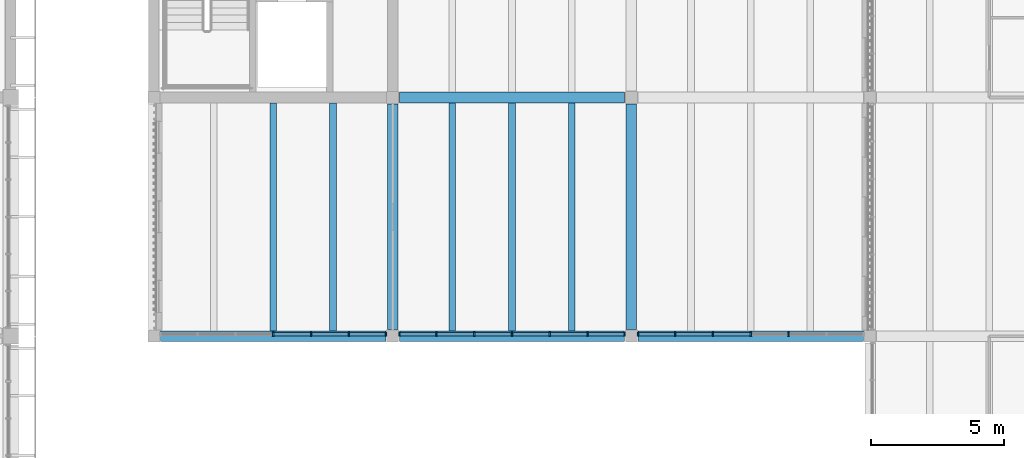
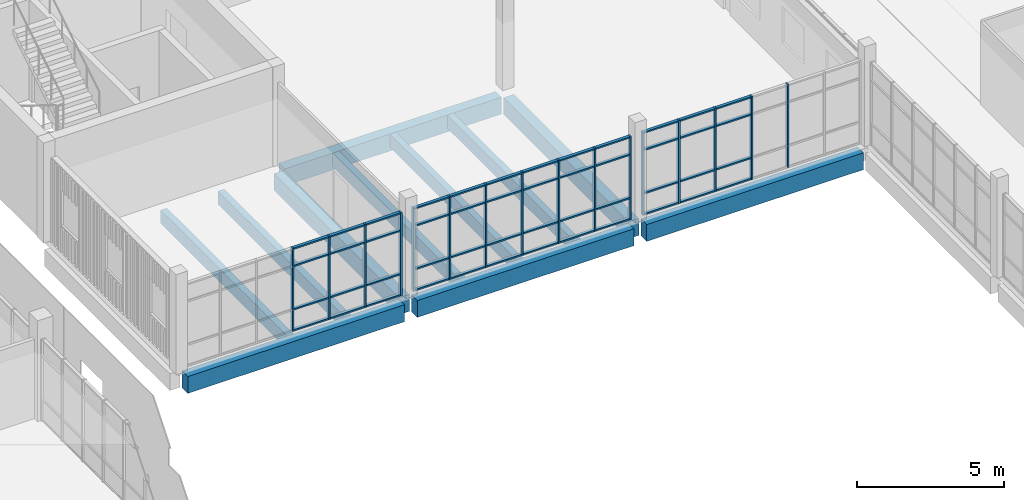
# One storey, part 25 of 88: 64 members, 11 beams, 3 elements without a shape of their own.
"""IFC4 building model written with IfcOpenShell, lengths in metres."""

from ifc_helpers import new_model, si_unit, direction, frame, origin, origin_2d, place, context, subcontext, project, spatial, rectangle, extrude, material, material_profile, profile_set, type_object, element, aggregate, save


model = new_model("IFC4")

# Units and contexts
model_context = context("Model", 3, precision=1e-05, world=origin(), true_north=direction((0.0, 1.0)))
body_context = subcontext(model_context, "Body", "Model", "MODEL_VIEW")
ifc_project = project(units=[si_unit("LENGTHUNIT", "METRE"), si_unit("AREAUNIT", "SQUARE_METRE"), si_unit("VOLUMEUNIT", "CUBIC_METRE"), si_unit("PLANEANGLEUNIT", "RADIAN"), si_unit("MASSUNIT", "GRAM", prefix="KILO")], contexts=[model_context])

# Site, building, storey
site_placement = place(None, origin())
site = spatial("IfcSite", under=ifc_project, at=site_placement, CompositionType="ELEMENT")
building_placement = place(site_placement, origin())
building = spatial("IfcBuilding", under=site, at=building_placement, Name="Merrow Basin Faculty of Sciences", CompositionType="ELEMENT")
storey_placement = place(building_placement, frame((0.0, 0.0, 9.0)))
storey = spatial("IfcBuildingStorey", under=building, at=storey_placement, Name="L02", CompositionType="ELEMENT", Elevation=9.0)

# Curtain wall, members
ifc_material_1 = material(Name="Aluminium alloy 6063", Category="aluminium")
curtain_wall_type = type_object("IfcCurtainWallType", Name="Court curtain wall 140", PredefinedType="NOTDEFINED", material=ifc_material_1)
curtain_wall_1_placement = place(storey_placement, origin())
curtain_wall_1 = element("IfcCurtainWall", 1, at=curtain_wall_1_placement, inside=storey, type_object=curtain_wall_type, Name="Court curtain wall L02 1", PredefinedType="NOTDEFINED")
ifc_material_2 = material(Name="Aluminium alloy 6063", Category="aluminium")
ifc_material_profile_1 = material_profile(ifc_material_2, rectangle(XDim=0.139892578125, YDim=0.06005859375, at=origin_2d()))
ifc_profile_set_1 = profile_set([ifc_material_profile_1], Name="Aluminium alloy 6063")
member_type_1 = type_object("IfcMemberType", Name="Aluminium mullion 60x140", PredefinedType="MULLION", material=ifc_profile_set_1)
member_1_placement = place(storey_placement, frame((31.5, 115.070068359375, 0.0), z_axis=(0.0, 0.0, 1.0), x_axis=(0.0, 1.0, 0.0)))
member_1 = element("IfcMember", 2, at=member_1_placement, type_object=member_type_1, Name="CW8 mullion 4", PredefinedType="MULLION", context=body_context, shape_type="SweptSolid", body=[
    extrude(rectangle(XDim=0.139892578125, YDim=0.06005859375, at=origin_2d()), origin(), (0.0, 0.0, 1.0), 3.449951171875),
])
member_2_placement = place(storey_placement, frame((32.925048828125, 115.070068359375, 0.0), z_axis=(0.0, 0.0, 1.0), x_axis=(0.0, 1.0, 0.0)))
member_2 = element("IfcMember", 3, at=member_2_placement, type_object=member_type_1, Name="CW8 mullion 5", PredefinedType="MULLION", context=body_context, shape_type="SweptSolid", body=[
    extrude(rectangle(XDim=0.139892578125, YDim=0.06005859375, at=origin_2d()), origin(), (0.0, 0.0, 1.0), 3.449951171875),
])
member_3_placement = place(storey_placement, frame((34.35009765625, 115.070068359375, 0.0), z_axis=(0.0, 0.0, 1.0), x_axis=(0.0, 1.0, 0.0)))
member_3 = element("IfcMember", 4, at=member_3_placement, type_object=member_type_1, Name="CW8 mullion 6", PredefinedType="MULLION", context=body_context, shape_type="SweptSolid", body=[
    extrude(rectangle(XDim=0.139892578125, YDim=0.06005859375, at=origin_2d()), origin(), (0.0, 0.0, 1.0), 3.449951171875),
])
member_4_placement = place(storey_placement, frame((35.7451171875, 115.070068359375, 0.0), z_axis=(0.0, 0.0, 1.0), x_axis=(0.0, 1.0, 0.0)))
member_4 = element("IfcMember", 5, at=member_4_placement, type_object=member_type_1, Name="CW8 mullion 7", PredefinedType="MULLION", context=body_context, shape_type="SweptSolid", body=[
    extrude(rectangle(XDim=0.139892578125, YDim=0.06005859375, at=origin_2d()), origin(), (0.0, 0.0, 1.0), 3.449951171875),
])

curtain_wall_2_placement = place(storey_placement, origin())
curtain_wall_2 = element("IfcCurtainWall", 6, at=curtain_wall_2_placement, inside=storey, type_object=curtain_wall_type, Name="Court curtain wall L02 2", PredefinedType="NOTDEFINED")
member_5_placement = place(storey_placement, frame((36.2548828125, 115.070068359375, 0.0), z_axis=(0.0, 0.0, 1.0), x_axis=(0.0, 1.0, 0.0)))
member_5 = element("IfcMember", 7, at=member_5_placement, type_object=member_type_1, Name="CW8 mullion 1", PredefinedType="MULLION", context=body_context, shape_type="SweptSolid", body=[
    extrude(rectangle(XDim=0.139892578125, YDim=0.06005859375, at=origin_2d()), origin(), (0.0, 0.0, 1.0), 3.449951171875),
])
member_6_placement = place(storey_placement, frame((37.64990234375, 115.070068359375, 0.0), z_axis=(0.0, 0.0, 1.0), x_axis=(0.0, 1.0, 0.0)))
member_6 = element("IfcMember", 8, at=member_6_placement, type_object=member_type_1, Name="CW8 mullion 2", PredefinedType="MULLION", context=body_context, shape_type="SweptSolid", body=[
    extrude(rectangle(XDim=0.139892578125, YDim=0.06005859375, at=origin_2d()), origin(), (0.0, 0.0, 1.0), 3.449951171875),
])
member_7_placement = place(storey_placement, frame((39.074951171875, 115.070068359375, 0.0), z_axis=(0.0, 0.0, 1.0), x_axis=(0.0, 1.0, 0.0)))
member_7 = element("IfcMember", 9, at=member_7_placement, type_object=member_type_1, Name="CW8 mullion 3", PredefinedType="MULLION", context=body_context, shape_type="SweptSolid", body=[
    extrude(rectangle(XDim=0.139892578125, YDim=0.06005859375, at=origin_2d()), origin(), (0.0, 0.0, 1.0), 3.449951171875),
])
member_8_placement = place(storey_placement, frame((40.5, 115.070068359375, 0.0), z_axis=(0.0, 0.0, 1.0), x_axis=(0.0, 1.0, 0.0)))
member_8 = element("IfcMember", 10, at=member_8_placement, type_object=member_type_1, Name="CW8 mullion 4", PredefinedType="MULLION", context=body_context, shape_type="SweptSolid", body=[
    extrude(rectangle(XDim=0.139892578125, YDim=0.06005859375, at=origin_2d()), origin(), (0.0, 0.0, 1.0), 3.449951171875),
])
member_9_placement = place(storey_placement, frame((41.925048828125, 115.070068359375, 0.0), z_axis=(0.0, 0.0, 1.0), x_axis=(0.0, 1.0, 0.0)))
member_9 = element("IfcMember", 11, at=member_9_placement, type_object=member_type_1, Name="CW8 mullion 5", PredefinedType="MULLION", context=body_context, shape_type="SweptSolid", body=[
    extrude(rectangle(XDim=0.139892578125, YDim=0.06005859375, at=origin_2d()), origin(), (0.0, 0.0, 1.0), 3.449951171875),
])
member_10_placement = place(storey_placement, frame((43.35009765625, 115.070068359375, 0.0), z_axis=(0.0, 0.0, 1.0), x_axis=(0.0, 1.0, 0.0)))
member_10 = element("IfcMember", 12, at=member_10_placement, type_object=member_type_1, Name="CW8 mullion 6", PredefinedType="MULLION", context=body_context, shape_type="SweptSolid", body=[
    extrude(rectangle(XDim=0.139892578125, YDim=0.06005859375, at=origin_2d()), origin(), (0.0, 0.0, 1.0), 3.449951171875),
])
member_11_placement = place(storey_placement, frame((44.7451171875, 115.070068359375, 0.0), z_axis=(0.0, 0.0, 1.0), x_axis=(0.0, 1.0, 0.0)))
member_11 = element("IfcMember", 13, at=member_11_placement, type_object=member_type_1, Name="CW8 mullion 7", PredefinedType="MULLION", context=body_context, shape_type="SweptSolid", body=[
    extrude(rectangle(XDim=0.139892578125, YDim=0.06005859375, at=origin_2d()), origin(), (0.0, 0.0, 1.0), 3.449951171875),
])

curtain_wall_3_placement = place(storey_placement, origin())
curtain_wall_3 = element("IfcCurtainWall", 14, at=curtain_wall_3_placement, inside=storey, type_object=curtain_wall_type, Name="Court curtain wall L02 3", PredefinedType="NOTDEFINED")
member_12_placement = place(storey_placement, frame((45.2548828125, 115.070068359375, 0.0), z_axis=(0.0, 0.0, 1.0), x_axis=(0.0, 1.0, 0.0)))
member_12 = element("IfcMember", 15, at=member_12_placement, type_object=member_type_1, Name="CW8 mullion 1", PredefinedType="MULLION", context=body_context, shape_type="SweptSolid", body=[
    extrude(rectangle(XDim=0.139892578125, YDim=0.06005859375, at=origin_2d()), origin(), (0.0, 0.0, 1.0), 3.449951171875),
])
member_13_placement = place(storey_placement, frame((46.64990234375, 115.070068359375, 0.0), z_axis=(0.0, 0.0, 1.0), x_axis=(0.0, 1.0, 0.0)))
member_13 = element("IfcMember", 16, at=member_13_placement, type_object=member_type_1, Name="CW8 mullion 2", PredefinedType="MULLION", context=body_context, shape_type="SweptSolid", body=[
    extrude(rectangle(XDim=0.139892578125, YDim=0.06005859375, at=origin_2d()), origin(), (0.0, 0.0, 1.0), 3.449951171875),
])
member_14_placement = place(storey_placement, frame((48.074951171875, 115.070068359375, 0.0), z_axis=(0.0, 0.0, 1.0), x_axis=(0.0, 1.0, 0.0)))
member_14 = element("IfcMember", 17, at=member_14_placement, type_object=member_type_1, Name="CW8 mullion 3", PredefinedType="MULLION", context=body_context, shape_type="SweptSolid", body=[
    extrude(rectangle(XDim=0.139892578125, YDim=0.06005859375, at=origin_2d()), origin(), (0.0, 0.0, 1.0), 3.449951171875),
])
member_15_placement = place(storey_placement, frame((49.5, 115.070068359375, 0.0), z_axis=(0.0, 0.0, 1.0), x_axis=(0.0, 1.0, 0.0)))
member_15 = element("IfcMember", 18, at=member_15_placement, type_object=member_type_1, Name="CW8 mullion 4", PredefinedType="MULLION", context=body_context, shape_type="SweptSolid", body=[
    extrude(rectangle(XDim=0.139892578125, YDim=0.06005859375, at=origin_2d()), origin(), (0.0, 0.0, 1.0), 3.449951171875),
])
member_16_placement = place(storey_placement, frame((50.925048828125, 115.070068359375, 0.0), z_axis=(0.0, 0.0, 1.0), x_axis=(0.0, 1.0, 0.0)))
member_16 = element("IfcMember", 19, at=member_16_placement, type_object=member_type_1, Name="CW8 mullion 5", PredefinedType="MULLION", context=body_context, shape_type="SweptSolid", body=[
    extrude(rectangle(XDim=0.139892578125, YDim=0.06005859375, at=origin_2d()), origin(), (0.0, 0.0, 1.0), 3.449951171875),
])

# Member
ifc_material_3 = material(Name="Aluminium alloy 6063", Category="aluminium")
ifc_material_profile_2 = material_profile(ifc_material_3, rectangle(XDim=0.1201171875, YDim=0.06005859375, at=origin_2d()))
ifc_profile_set_2 = profile_set([ifc_material_profile_2], Name="Aluminium alloy 6063")
member_type_2 = type_object("IfcMemberType", Name="Aluminium transom 60x120", PredefinedType="USERDEFINED", material=ifc_profile_set_2)
member_17_placement = place(storey_placement, frame((31.530029296875, 115.070068359375, 0.030029296875), z_axis=(1.0, 0.0, 0.0), x_axis=(0.0, 1.0, 0.0)))
member_17 = element("IfcMember", 20, at=member_17_placement, type_object=member_type_2, Name="CW8 transom 4.1", ObjectType="TRANSOM", PredefinedType="USERDEFINED", context=body_context, shape_type="SweptSolid", body=[
    extrude(rectangle(XDim=0.1201171875, YDim=0.06005859375, at=origin_2d()), origin(), (0.0, 0.0, 1.0), 1.364990234375),
])

member_18_placement = place(storey_placement, frame((31.530029296875, 115.070068359375, 0.89990234375), z_axis=(1.0, 0.0, 0.0), x_axis=(0.0, 1.0, 0.0)))
member_18 = element("IfcMember", 21, at=member_18_placement, type_object=member_type_2, Name="CW8 transom 4.2", ObjectType="TRANSOM", PredefinedType="USERDEFINED", context=body_context, shape_type="SweptSolid", body=[
    extrude(rectangle(XDim=0.1201171875, YDim=0.06005859375, at=origin_2d()), origin(), (0.0, 0.0, 1.0), 1.364990234375),
])

member_19_placement = place(storey_placement, frame((31.530029296875, 115.070068359375, 2.699951171875), z_axis=(1.0, 0.0, 0.0), x_axis=(0.0, 1.0, 0.0)))
member_19 = element("IfcMember", 22, at=member_19_placement, type_object=member_type_2, Name="CW8 transom 4.3", ObjectType="TRANSOM", PredefinedType="USERDEFINED", context=body_context, shape_type="SweptSolid", body=[
    extrude(rectangle(XDim=0.1201171875, YDim=0.06005859375, at=origin_2d()), origin(), (0.0, 0.0, 1.0), 1.364990234375),
])

member_20_placement = place(storey_placement, frame((31.530029296875, 115.070068359375, 3.419921875), z_axis=(1.0, 0.0, 0.0), x_axis=(0.0, 1.0, 0.0)))
member_20 = element("IfcMember", 23, at=member_20_placement, type_object=member_type_2, Name="CW8 transom 4.4", ObjectType="TRANSOM", PredefinedType="USERDEFINED", context=body_context, shape_type="SweptSolid", body=[
    extrude(rectangle(XDim=0.1201171875, YDim=0.06005859375, at=origin_2d()), origin(), (0.0, 0.0, 1.0), 1.364990234375),
])

member_21_placement = place(storey_placement, frame((32.955078125, 115.070068359375, 0.030029296875), z_axis=(1.0, 0.0, 0.0), x_axis=(0.0, 1.0, 0.0)))
member_21 = element("IfcMember", 24, at=member_21_placement, type_object=member_type_2, Name="CW8 transom 5.1", ObjectType="TRANSOM", PredefinedType="USERDEFINED", context=body_context, shape_type="SweptSolid", body=[
    extrude(rectangle(XDim=0.1201171875, YDim=0.06005859375, at=origin_2d()), origin(), (0.0, 0.0, 1.0), 1.364990234375),
])

member_22_placement = place(storey_placement, frame((32.955078125, 115.070068359375, 0.89990234375), z_axis=(1.0, 0.0, 0.0), x_axis=(0.0, 1.0, 0.0)))
member_22 = element("IfcMember", 25, at=member_22_placement, type_object=member_type_2, Name="CW8 transom 5.2", ObjectType="TRANSOM", PredefinedType="USERDEFINED", context=body_context, shape_type="SweptSolid", body=[
    extrude(rectangle(XDim=0.1201171875, YDim=0.06005859375, at=origin_2d()), origin(), (0.0, 0.0, 1.0), 1.364990234375),
])

member_23_placement = place(storey_placement, frame((32.955078125, 115.070068359375, 2.699951171875), z_axis=(1.0, 0.0, 0.0), x_axis=(0.0, 1.0, 0.0)))
member_23 = element("IfcMember", 26, at=member_23_placement, type_object=member_type_2, Name="CW8 transom 5.3", ObjectType="TRANSOM", PredefinedType="USERDEFINED", context=body_context, shape_type="SweptSolid", body=[
    extrude(rectangle(XDim=0.1201171875, YDim=0.06005859375, at=origin_2d()), origin(), (0.0, 0.0, 1.0), 1.364990234375),
])

member_24_placement = place(storey_placement, frame((32.955078125, 115.070068359375, 3.419921875), z_axis=(1.0, 0.0, 0.0), x_axis=(0.0, 1.0, 0.0)))
member_24 = element("IfcMember", 27, at=member_24_placement, type_object=member_type_2, Name="CW8 transom 5.4", ObjectType="TRANSOM", PredefinedType="USERDEFINED", context=body_context, shape_type="SweptSolid", body=[
    extrude(rectangle(XDim=0.1201171875, YDim=0.06005859375, at=origin_2d()), origin(), (0.0, 0.0, 1.0), 1.364990234375),
])

member_25_placement = place(storey_placement, frame((34.3798828125, 115.070068359375, 0.030029296875), z_axis=(1.0, 0.0, 0.0), x_axis=(0.0, 1.0, 0.0)))
member_25 = element("IfcMember", 28, at=member_25_placement, type_object=member_type_2, Name="CW8 transom 6.1", ObjectType="TRANSOM", PredefinedType="USERDEFINED", context=body_context, shape_type="SweptSolid", body=[
    extrude(rectangle(XDim=0.1201171875, YDim=0.06005859375, at=origin_2d()), origin(), (0.0, 0.0, 1.0), 1.335205078125),
])

member_26_placement = place(storey_placement, frame((34.3798828125, 115.070068359375, 0.89990234375), z_axis=(1.0, 0.0, 0.0), x_axis=(0.0, 1.0, 0.0)))
member_26 = element("IfcMember", 29, at=member_26_placement, type_object=member_type_2, Name="CW8 transom 6.2", ObjectType="TRANSOM", PredefinedType="USERDEFINED", context=body_context, shape_type="SweptSolid", body=[
    extrude(rectangle(XDim=0.1201171875, YDim=0.06005859375, at=origin_2d()), origin(), (0.0, 0.0, 1.0), 1.335205078125),
])

member_27_placement = place(storey_placement, frame((34.3798828125, 115.070068359375, 2.699951171875), z_axis=(1.0, 0.0, 0.0), x_axis=(0.0, 1.0, 0.0)))
member_27 = element("IfcMember", 30, at=member_27_placement, type_object=member_type_2, Name="CW8 transom 6.3", ObjectType="TRANSOM", PredefinedType="USERDEFINED", context=body_context, shape_type="SweptSolid", body=[
    extrude(rectangle(XDim=0.1201171875, YDim=0.06005859375, at=origin_2d()), origin(), (0.0, 0.0, 1.0), 1.335205078125),
])

member_28_placement = place(storey_placement, frame((34.3798828125, 115.070068359375, 3.419921875), z_axis=(1.0, 0.0, 0.0), x_axis=(0.0, 1.0, 0.0)))
member_28 = element("IfcMember", 31, at=member_28_placement, type_object=member_type_2, Name="CW8 transom 6.4", ObjectType="TRANSOM", PredefinedType="USERDEFINED", context=body_context, shape_type="SweptSolid", body=[
    extrude(rectangle(XDim=0.1201171875, YDim=0.06005859375, at=origin_2d()), origin(), (0.0, 0.0, 1.0), 1.335205078125),
])

aggregate(curtain_wall_1, [member_1, member_2, member_3, member_4, member_17, member_18, member_19, member_20, member_21, member_22, member_23, member_24, member_25, member_26, member_27, member_28])

member_29_placement = place(storey_placement, frame((36.284912109375, 115.070068359375, 0.030029296875), z_axis=(1.0, 0.0, 0.0), x_axis=(0.0, 1.0, 0.0)))
member_29 = element("IfcMember", 32, at=member_29_placement, type_object=member_type_2, Name="CW8 transom 1.1", ObjectType="TRANSOM", PredefinedType="USERDEFINED", context=body_context, shape_type="SweptSolid", body=[
    extrude(rectangle(XDim=0.1201171875, YDim=0.06005859375, at=origin_2d()), origin(), (0.0, 0.0, 1.0), 1.335205078125),
])

member_30_placement = place(storey_placement, frame((36.284912109375, 115.070068359375, 0.89990234375), z_axis=(1.0, 0.0, 0.0), x_axis=(0.0, 1.0, 0.0)))
member_30 = element("IfcMember", 33, at=member_30_placement, type_object=member_type_2, Name="CW8 transom 1.2", ObjectType="TRANSOM", PredefinedType="USERDEFINED", context=body_context, shape_type="SweptSolid", body=[
    extrude(rectangle(XDim=0.1201171875, YDim=0.06005859375, at=origin_2d()), origin(), (0.0, 0.0, 1.0), 1.335205078125),
])

member_31_placement = place(storey_placement, frame((36.284912109375, 115.070068359375, 2.699951171875), z_axis=(1.0, 0.0, 0.0), x_axis=(0.0, 1.0, 0.0)))
member_31 = element("IfcMember", 34, at=member_31_placement, type_object=member_type_2, Name="CW8 transom 1.3", ObjectType="TRANSOM", PredefinedType="USERDEFINED", context=body_context, shape_type="SweptSolid", body=[
    extrude(rectangle(XDim=0.1201171875, YDim=0.06005859375, at=origin_2d()), origin(), (0.0, 0.0, 1.0), 1.335205078125),
])

member_32_placement = place(storey_placement, frame((36.284912109375, 115.070068359375, 3.419921875), z_axis=(1.0, 0.0, 0.0), x_axis=(0.0, 1.0, 0.0)))
member_32 = element("IfcMember", 35, at=member_32_placement, type_object=member_type_2, Name="CW8 transom 1.4", ObjectType="TRANSOM", PredefinedType="USERDEFINED", context=body_context, shape_type="SweptSolid", body=[
    extrude(rectangle(XDim=0.1201171875, YDim=0.06005859375, at=origin_2d()), origin(), (0.0, 0.0, 1.0), 1.335205078125),
])

member_33_placement = place(storey_placement, frame((37.679931640625, 115.070068359375, 0.030029296875), z_axis=(1.0, 0.0, 0.0), x_axis=(0.0, 1.0, 0.0)))
member_33 = element("IfcMember", 36, at=member_33_placement, type_object=member_type_2, Name="CW8 transom 2.1", ObjectType="TRANSOM", PredefinedType="USERDEFINED", context=body_context, shape_type="SweptSolid", body=[
    extrude(rectangle(XDim=0.1201171875, YDim=0.06005859375, at=origin_2d()), origin(), (0.0, 0.0, 1.0), 1.364990234375),
])

member_34_placement = place(storey_placement, frame((37.679931640625, 115.070068359375, 0.89990234375), z_axis=(1.0, 0.0, 0.0), x_axis=(0.0, 1.0, 0.0)))
member_34 = element("IfcMember", 37, at=member_34_placement, type_object=member_type_2, Name="CW8 transom 2.2", ObjectType="TRANSOM", PredefinedType="USERDEFINED", context=body_context, shape_type="SweptSolid", body=[
    extrude(rectangle(XDim=0.1201171875, YDim=0.06005859375, at=origin_2d()), origin(), (0.0, 0.0, 1.0), 1.364990234375),
])

member_35_placement = place(storey_placement, frame((37.679931640625, 115.070068359375, 2.699951171875), z_axis=(1.0, 0.0, 0.0), x_axis=(0.0, 1.0, 0.0)))
member_35 = element("IfcMember", 38, at=member_35_placement, type_object=member_type_2, Name="CW8 transom 2.3", ObjectType="TRANSOM", PredefinedType="USERDEFINED", context=body_context, shape_type="SweptSolid", body=[
    extrude(rectangle(XDim=0.1201171875, YDim=0.06005859375, at=origin_2d()), origin(), (0.0, 0.0, 1.0), 1.364990234375),
])

member_36_placement = place(storey_placement, frame((37.679931640625, 115.070068359375, 3.419921875), z_axis=(1.0, 0.0, 0.0), x_axis=(0.0, 1.0, 0.0)))
member_36 = element("IfcMember", 39, at=member_36_placement, type_object=member_type_2, Name="CW8 transom 2.4", ObjectType="TRANSOM", PredefinedType="USERDEFINED", context=body_context, shape_type="SweptSolid", body=[
    extrude(rectangle(XDim=0.1201171875, YDim=0.06005859375, at=origin_2d()), origin(), (0.0, 0.0, 1.0), 1.364990234375),
])

member_37_placement = place(storey_placement, frame((39.10498046875, 115.070068359375, 0.030029296875), z_axis=(1.0, 0.0, 0.0), x_axis=(0.0, 1.0, 0.0)))
member_37 = element("IfcMember", 40, at=member_37_placement, type_object=member_type_2, Name="CW8 transom 3.1", ObjectType="TRANSOM", PredefinedType="USERDEFINED", context=body_context, shape_type="SweptSolid", body=[
    extrude(rectangle(XDim=0.1201171875, YDim=0.06005859375, at=origin_2d()), origin(), (0.0, 0.0, 1.0), 1.364990234375),
])

member_38_placement = place(storey_placement, frame((39.10498046875, 115.070068359375, 0.89990234375), z_axis=(1.0, 0.0, 0.0), x_axis=(0.0, 1.0, 0.0)))
member_38 = element("IfcMember", 41, at=member_38_placement, type_object=member_type_2, Name="CW8 transom 3.2", ObjectType="TRANSOM", PredefinedType="USERDEFINED", context=body_context, shape_type="SweptSolid", body=[
    extrude(rectangle(XDim=0.1201171875, YDim=0.06005859375, at=origin_2d()), origin(), (0.0, 0.0, 1.0), 1.364990234375),
])

member_39_placement = place(storey_placement, frame((39.10498046875, 115.070068359375, 2.699951171875), z_axis=(1.0, 0.0, 0.0), x_axis=(0.0, 1.0, 0.0)))
member_39 = element("IfcMember", 42, at=member_39_placement, type_object=member_type_2, Name="CW8 transom 3.3", ObjectType="TRANSOM", PredefinedType="USERDEFINED", context=body_context, shape_type="SweptSolid", body=[
    extrude(rectangle(XDim=0.1201171875, YDim=0.06005859375, at=origin_2d()), origin(), (0.0, 0.0, 1.0), 1.364990234375),
])

member_40_placement = place(storey_placement, frame((39.10498046875, 115.070068359375, 3.419921875), z_axis=(1.0, 0.0, 0.0), x_axis=(0.0, 1.0, 0.0)))
member_40 = element("IfcMember", 43, at=member_40_placement, type_object=member_type_2, Name="CW8 transom 3.4", ObjectType="TRANSOM", PredefinedType="USERDEFINED", context=body_context, shape_type="SweptSolid", body=[
    extrude(rectangle(XDim=0.1201171875, YDim=0.06005859375, at=origin_2d()), origin(), (0.0, 0.0, 1.0), 1.364990234375),
])

member_41_placement = place(storey_placement, frame((40.530029296875, 115.070068359375, 0.030029296875), z_axis=(1.0, 0.0, 0.0), x_axis=(0.0, 1.0, 0.0)))
member_41 = element("IfcMember", 44, at=member_41_placement, type_object=member_type_2, Name="CW8 transom 4.1", ObjectType="TRANSOM", PredefinedType="USERDEFINED", context=body_context, shape_type="SweptSolid", body=[
    extrude(rectangle(XDim=0.1201171875, YDim=0.06005859375, at=origin_2d()), origin(), (0.0, 0.0, 1.0), 1.364990234375),
])

member_42_placement = place(storey_placement, frame((40.530029296875, 115.070068359375, 0.89990234375), z_axis=(1.0, 0.0, 0.0), x_axis=(0.0, 1.0, 0.0)))
member_42 = element("IfcMember", 45, at=member_42_placement, type_object=member_type_2, Name="CW8 transom 4.2", ObjectType="TRANSOM", PredefinedType="USERDEFINED", context=body_context, shape_type="SweptSolid", body=[
    extrude(rectangle(XDim=0.1201171875, YDim=0.06005859375, at=origin_2d()), origin(), (0.0, 0.0, 1.0), 1.364990234375),
])

member_43_placement = place(storey_placement, frame((40.530029296875, 115.070068359375, 2.699951171875), z_axis=(1.0, 0.0, 0.0), x_axis=(0.0, 1.0, 0.0)))
member_43 = element("IfcMember", 46, at=member_43_placement, type_object=member_type_2, Name="CW8 transom 4.3", ObjectType="TRANSOM", PredefinedType="USERDEFINED", context=body_context, shape_type="SweptSolid", body=[
    extrude(rectangle(XDim=0.1201171875, YDim=0.06005859375, at=origin_2d()), origin(), (0.0, 0.0, 1.0), 1.364990234375),
])

member_44_placement = place(storey_placement, frame((40.530029296875, 115.070068359375, 3.419921875), z_axis=(1.0, 0.0, 0.0), x_axis=(0.0, 1.0, 0.0)))
member_44 = element("IfcMember", 47, at=member_44_placement, type_object=member_type_2, Name="CW8 transom 4.4", ObjectType="TRANSOM", PredefinedType="USERDEFINED", context=body_context, shape_type="SweptSolid", body=[
    extrude(rectangle(XDim=0.1201171875, YDim=0.06005859375, at=origin_2d()), origin(), (0.0, 0.0, 1.0), 1.364990234375),
])

member_45_placement = place(storey_placement, frame((41.955078125, 115.070068359375, 0.030029296875), z_axis=(1.0, 0.0, 0.0), x_axis=(0.0, 1.0, 0.0)))
member_45 = element("IfcMember", 48, at=member_45_placement, type_object=member_type_2, Name="CW8 transom 5.1", ObjectType="TRANSOM", PredefinedType="USERDEFINED", context=body_context, shape_type="SweptSolid", body=[
    extrude(rectangle(XDim=0.1201171875, YDim=0.06005859375, at=origin_2d()), origin(), (0.0, 0.0, 1.0), 1.364990234375),
])

member_46_placement = place(storey_placement, frame((41.955078125, 115.070068359375, 0.89990234375), z_axis=(1.0, 0.0, 0.0), x_axis=(0.0, 1.0, 0.0)))
member_46 = element("IfcMember", 49, at=member_46_placement, type_object=member_type_2, Name="CW8 transom 5.2", ObjectType="TRANSOM", PredefinedType="USERDEFINED", context=body_context, shape_type="SweptSolid", body=[
    extrude(rectangle(XDim=0.1201171875, YDim=0.06005859375, at=origin_2d()), origin(), (0.0, 0.0, 1.0), 1.364990234375),
])

member_47_placement = place(storey_placement, frame((41.955078125, 115.070068359375, 2.699951171875), z_axis=(1.0, 0.0, 0.0), x_axis=(0.0, 1.0, 0.0)))
member_47 = element("IfcMember", 50, at=member_47_placement, type_object=member_type_2, Name="CW8 transom 5.3", ObjectType="TRANSOM", PredefinedType="USERDEFINED", context=body_context, shape_type="SweptSolid", body=[
    extrude(rectangle(XDim=0.1201171875, YDim=0.06005859375, at=origin_2d()), origin(), (0.0, 0.0, 1.0), 1.364990234375),
])

member_48_placement = place(storey_placement, frame((41.955078125, 115.070068359375, 3.419921875), z_axis=(1.0, 0.0, 0.0), x_axis=(0.0, 1.0, 0.0)))
member_48 = element("IfcMember", 51, at=member_48_placement, type_object=member_type_2, Name="CW8 transom 5.4", ObjectType="TRANSOM", PredefinedType="USERDEFINED", context=body_context, shape_type="SweptSolid", body=[
    extrude(rectangle(XDim=0.1201171875, YDim=0.06005859375, at=origin_2d()), origin(), (0.0, 0.0, 1.0), 1.364990234375),
])

member_49_placement = place(storey_placement, frame((43.3798828125, 115.070068359375, 0.030029296875), z_axis=(1.0, 0.0, 0.0), x_axis=(0.0, 1.0, 0.0)))
member_49 = element("IfcMember", 52, at=member_49_placement, type_object=member_type_2, Name="CW8 transom 6.1", ObjectType="TRANSOM", PredefinedType="USERDEFINED", context=body_context, shape_type="SweptSolid", body=[
    extrude(rectangle(XDim=0.1201171875, YDim=0.06005859375, at=origin_2d()), origin(), (0.0, 0.0, 1.0), 1.335205078125),
])

member_50_placement = place(storey_placement, frame((43.3798828125, 115.070068359375, 0.89990234375), z_axis=(1.0, 0.0, 0.0), x_axis=(0.0, 1.0, 0.0)))
member_50 = element("IfcMember", 53, at=member_50_placement, type_object=member_type_2, Name="CW8 transom 6.2", ObjectType="TRANSOM", PredefinedType="USERDEFINED", context=body_context, shape_type="SweptSolid", body=[
    extrude(rectangle(XDim=0.1201171875, YDim=0.06005859375, at=origin_2d()), origin(), (0.0, 0.0, 1.0), 1.335205078125),
])

member_51_placement = place(storey_placement, frame((43.3798828125, 115.070068359375, 2.699951171875), z_axis=(1.0, 0.0, 0.0), x_axis=(0.0, 1.0, 0.0)))
member_51 = element("IfcMember", 54, at=member_51_placement, type_object=member_type_2, Name="CW8 transom 6.3", ObjectType="TRANSOM", PredefinedType="USERDEFINED", context=body_context, shape_type="SweptSolid", body=[
    extrude(rectangle(XDim=0.1201171875, YDim=0.06005859375, at=origin_2d()), origin(), (0.0, 0.0, 1.0), 1.335205078125),
])

member_52_placement = place(storey_placement, frame((43.3798828125, 115.070068359375, 3.419921875), z_axis=(1.0, 0.0, 0.0), x_axis=(0.0, 1.0, 0.0)))
member_52 = element("IfcMember", 55, at=member_52_placement, type_object=member_type_2, Name="CW8 transom 6.4", ObjectType="TRANSOM", PredefinedType="USERDEFINED", context=body_context, shape_type="SweptSolid", body=[
    extrude(rectangle(XDim=0.1201171875, YDim=0.06005859375, at=origin_2d()), origin(), (0.0, 0.0, 1.0), 1.335205078125),
])

aggregate(curtain_wall_2, [member_5, member_6, member_7, member_8, member_9, member_10, member_11, member_29, member_30, member_31, member_32, member_33, member_34, member_35, member_36, member_37, member_38, member_39, member_40, member_41, member_42, member_43, member_44, member_45, member_46, member_47, member_48, member_49, member_50, member_51, member_52])

member_53_placement = place(storey_placement, frame((45.284912109375, 115.070068359375, 0.030029296875), z_axis=(1.0, 0.0, 0.0), x_axis=(0.0, 1.0, 0.0)))
member_53 = element("IfcMember", 56, at=member_53_placement, type_object=member_type_2, Name="CW8 transom 1.1", ObjectType="TRANSOM", PredefinedType="USERDEFINED", context=body_context, shape_type="SweptSolid", body=[
    extrude(rectangle(XDim=0.1201171875, YDim=0.06005859375, at=origin_2d()), origin(), (0.0, 0.0, 1.0), 1.335205078125),
])

member_54_placement = place(storey_placement, frame((45.284912109375, 115.070068359375, 0.89990234375), z_axis=(1.0, 0.0, 0.0), x_axis=(0.0, 1.0, 0.0)))
member_54 = element("IfcMember", 57, at=member_54_placement, type_object=member_type_2, Name="CW8 transom 1.2", ObjectType="TRANSOM", PredefinedType="USERDEFINED", context=body_context, shape_type="SweptSolid", body=[
    extrude(rectangle(XDim=0.1201171875, YDim=0.06005859375, at=origin_2d()), origin(), (0.0, 0.0, 1.0), 1.335205078125),
])

member_55_placement = place(storey_placement, frame((45.284912109375, 115.070068359375, 2.699951171875), z_axis=(1.0, 0.0, 0.0), x_axis=(0.0, 1.0, 0.0)))
member_55 = element("IfcMember", 58, at=member_55_placement, type_object=member_type_2, Name="CW8 transom 1.3", ObjectType="TRANSOM", PredefinedType="USERDEFINED", context=body_context, shape_type="SweptSolid", body=[
    extrude(rectangle(XDim=0.1201171875, YDim=0.06005859375, at=origin_2d()), origin(), (0.0, 0.0, 1.0), 1.335205078125),
])

member_56_placement = place(storey_placement, frame((45.284912109375, 115.070068359375, 3.419921875), z_axis=(1.0, 0.0, 0.0), x_axis=(0.0, 1.0, 0.0)))
member_56 = element("IfcMember", 59, at=member_56_placement, type_object=member_type_2, Name="CW8 transom 1.4", ObjectType="TRANSOM", PredefinedType="USERDEFINED", context=body_context, shape_type="SweptSolid", body=[
    extrude(rectangle(XDim=0.1201171875, YDim=0.06005859375, at=origin_2d()), origin(), (0.0, 0.0, 1.0), 1.335205078125),
])

member_57_placement = place(storey_placement, frame((46.679931640625, 115.070068359375, 0.030029296875), z_axis=(1.0, 0.0, 0.0), x_axis=(0.0, 1.0, 0.0)))
member_57 = element("IfcMember", 60, at=member_57_placement, type_object=member_type_2, Name="CW8 transom 2.1", ObjectType="TRANSOM", PredefinedType="USERDEFINED", context=body_context, shape_type="SweptSolid", body=[
    extrude(rectangle(XDim=0.1201171875, YDim=0.06005859375, at=origin_2d()), origin(), (0.0, 0.0, 1.0), 1.364990234375),
])

member_58_placement = place(storey_placement, frame((46.679931640625, 115.070068359375, 0.89990234375), z_axis=(1.0, 0.0, 0.0), x_axis=(0.0, 1.0, 0.0)))
member_58 = element("IfcMember", 61, at=member_58_placement, type_object=member_type_2, Name="CW8 transom 2.2", ObjectType="TRANSOM", PredefinedType="USERDEFINED", context=body_context, shape_type="SweptSolid", body=[
    extrude(rectangle(XDim=0.1201171875, YDim=0.06005859375, at=origin_2d()), origin(), (0.0, 0.0, 1.0), 1.364990234375),
])

member_59_placement = place(storey_placement, frame((46.679931640625, 115.070068359375, 2.699951171875), z_axis=(1.0, 0.0, 0.0), x_axis=(0.0, 1.0, 0.0)))
member_59 = element("IfcMember", 62, at=member_59_placement, type_object=member_type_2, Name="CW8 transom 2.3", ObjectType="TRANSOM", PredefinedType="USERDEFINED", context=body_context, shape_type="SweptSolid", body=[
    extrude(rectangle(XDim=0.1201171875, YDim=0.06005859375, at=origin_2d()), origin(), (0.0, 0.0, 1.0), 1.364990234375),
])

member_60_placement = place(storey_placement, frame((46.679931640625, 115.070068359375, 3.419921875), z_axis=(1.0, 0.0, 0.0), x_axis=(0.0, 1.0, 0.0)))
member_60 = element("IfcMember", 63, at=member_60_placement, type_object=member_type_2, Name="CW8 transom 2.4", ObjectType="TRANSOM", PredefinedType="USERDEFINED", context=body_context, shape_type="SweptSolid", body=[
    extrude(rectangle(XDim=0.1201171875, YDim=0.06005859375, at=origin_2d()), origin(), (0.0, 0.0, 1.0), 1.364990234375),
])

member_61_placement = place(storey_placement, frame((48.10498046875, 115.070068359375, 0.030029296875), z_axis=(1.0, 0.0, 0.0), x_axis=(0.0, 1.0, 0.0)))
member_61 = element("IfcMember", 64, at=member_61_placement, type_object=member_type_2, Name="CW8 transom 3.1", ObjectType="TRANSOM", PredefinedType="USERDEFINED", context=body_context, shape_type="SweptSolid", body=[
    extrude(rectangle(XDim=0.1201171875, YDim=0.06005859375, at=origin_2d()), origin(), (0.0, 0.0, 1.0), 1.364990234375),
])

member_62_placement = place(storey_placement, frame((48.10498046875, 115.070068359375, 0.89990234375), z_axis=(1.0, 0.0, 0.0), x_axis=(0.0, 1.0, 0.0)))
member_62 = element("IfcMember", 65, at=member_62_placement, type_object=member_type_2, Name="CW8 transom 3.2", ObjectType="TRANSOM", PredefinedType="USERDEFINED", context=body_context, shape_type="SweptSolid", body=[
    extrude(rectangle(XDim=0.1201171875, YDim=0.06005859375, at=origin_2d()), origin(), (0.0, 0.0, 1.0), 1.364990234375),
])

member_63_placement = place(storey_placement, frame((48.10498046875, 115.070068359375, 2.699951171875), z_axis=(1.0, 0.0, 0.0), x_axis=(0.0, 1.0, 0.0)))
member_63 = element("IfcMember", 66, at=member_63_placement, type_object=member_type_2, Name="CW8 transom 3.3", ObjectType="TRANSOM", PredefinedType="USERDEFINED", context=body_context, shape_type="SweptSolid", body=[
    extrude(rectangle(XDim=0.1201171875, YDim=0.06005859375, at=origin_2d()), origin(), (0.0, 0.0, 1.0), 1.364990234375),
])

member_64_placement = place(storey_placement, frame((48.10498046875, 115.070068359375, 3.419921875), z_axis=(1.0, 0.0, 0.0), x_axis=(0.0, 1.0, 0.0)))
member_64 = element("IfcMember", 67, at=member_64_placement, type_object=member_type_2, Name="CW8 transom 3.4", ObjectType="TRANSOM", PredefinedType="USERDEFINED", context=body_context, shape_type="SweptSolid", body=[
    extrude(rectangle(XDim=0.1201171875, YDim=0.06005859375, at=origin_2d()), origin(), (0.0, 0.0, 1.0), 1.364990234375),
])

aggregate(curtain_wall_3, [member_12, member_13, member_14, member_15, member_16, member_53, member_54, member_55, member_56, member_57, member_58, member_59, member_60, member_61, member_62, member_63, member_64])

# Beams
ifc_material_4 = material(Name="Concrete C40/50", Category="concrete")
ifc_material_profile_3 = material_profile(ifc_material_4, rectangle(XDim=0.39990234375, YDim=0.699951171875, at=origin_2d()))
ifc_profile_set_3 = profile_set([ifc_material_profile_3], Name="Concrete C40/50")
beam_type_1 = type_object("IfcBeamType", Name="Beam RC400x700 C40/50", PredefinedType="BEAM", material=ifc_profile_set_3)
for number, where, z_axis, x_axis, name in (
    (68, (27.25, 115.0, -0.60009765625), (1.0, 0.0, 0.0), (0.0, 1.0, 0.0), "B3 L02 010"),
    (69, (36.25, 115.0, -0.60009765625), (1.0, 0.0, 0.0), (0.0, 1.0, 0.0), "B3 L02 011"),
    (70, (45.25, 115.0, -0.60009765625), (1.0, 0.0, 0.0), (0.0, 1.0, 0.0), "B3 L02 012"),
    (71, (36.25, 124.0, -0.60009765625), (1.0, 0.0, 0.0), (0.0, 1.0, 0.0), "B3 L02 014"),
    (72, (36.0, 115.25, -0.60009765625), (0.0, 1.0, 0.0), (-1.0, 0.0, 0.0), "B3 L02 021"),
    (73, (45.0, 115.25, -0.60009765625), (0.0, 1.0, 0.0), (-1.0, 0.0, 0.0), "B3 L02 022"),
):
    element("IfcBeam", number, at=place(storey_placement, frame(where, z_axis=z_axis, x_axis=x_axis)), inside=storey, type_object=beam_type_1, Name=name, PredefinedType="BEAM", context=body_context, shape_type="SweptSolid", body=[
        extrude(rectangle(XDim=0.39990234375, YDim=0.699951171875, at=origin_2d()), origin(), (0.0, 0.0, 1.0), 8.5),
    ])
ifc_material_5 = material(Name="Concrete C40/50", Category="concrete")
ifc_material_profile_4 = material_profile(ifc_material_5, rectangle(XDim=0.25, YDim=0.550048828125, at=origin_2d()))
ifc_profile_set_4 = profile_set([ifc_material_profile_4], Name="Concrete C40/50")
beam_type_2 = type_object("IfcBeamType", Name="Commons floor joist RC250x550 C40/50", PredefinedType="BEAM", material=ifc_profile_set_4)
for number, where, z_axis, x_axis, name in (
    (74, (31.5, 115.199951171875, -0.52490234375), (0.0, 1.0, 0.0), (-1.0, 0.0, 0.0), "JC1 L02 043"),
    (75, (33.75, 115.199951171875, -0.52490234375), (0.0, 1.0, 0.0), (-1.0, 0.0, 0.0), "JC1 L02 044"),
    (76, (38.25, 115.199951171875, -0.52490234375), (0.0, 1.0, 0.0), (-1.0, 0.0, 0.0), "JC1 L02 048"),
    (77, (40.5, 115.199951171875, -0.52490234375), (0.0, 1.0, 0.0), (-1.0, 0.0, 0.0), "JC1 L02 049"),
    (78, (42.75, 115.199951171875, -0.52490234375), (0.0, 1.0, 0.0), (-1.0, 0.0, 0.0), "JC1 L02 050"),
):
    element("IfcBeam", number, at=place(storey_placement, frame(where, z_axis=z_axis, x_axis=x_axis)), inside=storey, type_object=beam_type_2, Name=name, PredefinedType="BEAM", context=body_context, shape_type="SweptSolid", body=[
        extrude(rectangle(XDim=0.25, YDim=0.550048828125, at=origin_2d()), origin(), (0.0, 0.0, 1.0), 8.60009765625),
    ])

save(model, "model.ifc")
